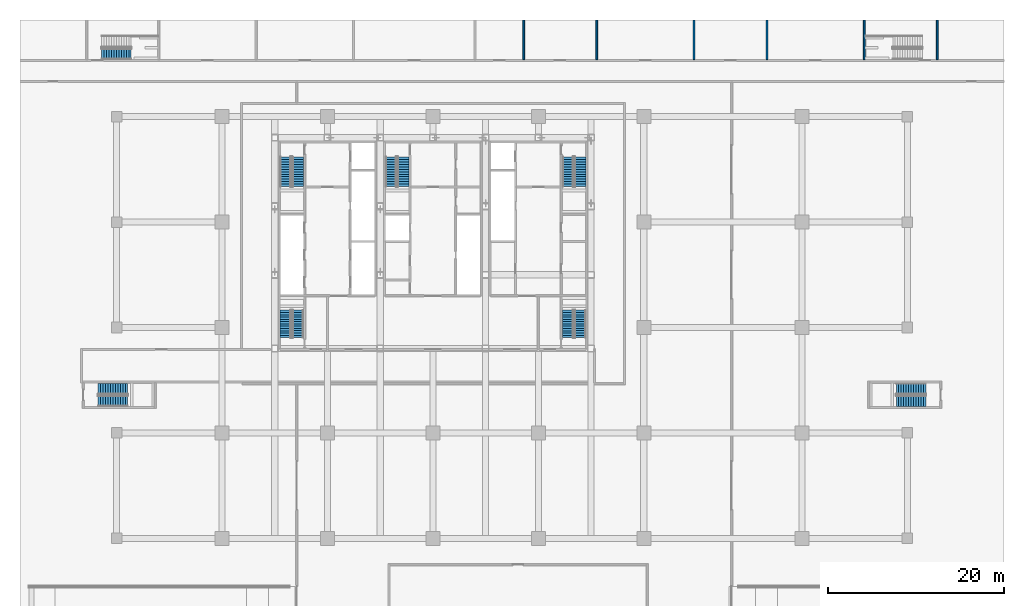
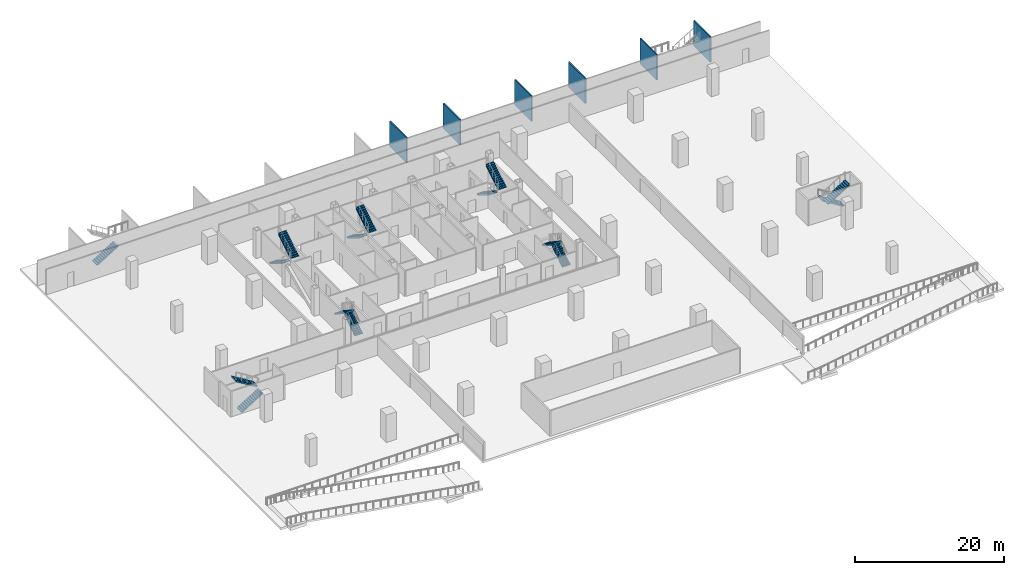
# One storey, part 10 of 15: 15 stair flights, 6 walls, 8 elements without a shape of their own.
"""IFC4 building model written with IfcOpenShell, lengths in metres."""

from ifc_helpers import new_model, si_unit, direction, frame, frame_2d, origin, place, context, subcontext, project, spatial, polyline, rectangle, outline, extrude, material, layer, layer_set, type_object, element, aggregate, save


model = new_model("IFC4")

# Units and contexts
model_context = context("Model", 3, precision=1e-05, world=origin(), true_north=direction((0.0, 1.0)))
body_context = subcontext(model_context, "Body", "Model", "MODEL_VIEW")
ifc_project = project(units=[si_unit("LENGTHUNIT", "METRE"), si_unit("AREAUNIT", "SQUARE_METRE"), si_unit("VOLUMEUNIT", "CUBIC_METRE"), si_unit("PLANEANGLEUNIT", "RADIAN"), si_unit("MASSUNIT", "GRAM", prefix="KILO")], contexts=[model_context])

# Site, building, storey
site_placement = place(None, origin())
site = spatial("IfcSite", under=ifc_project, at=site_placement, CompositionType="ELEMENT")
building_placement = place(site_placement, origin())
building = spatial("IfcBuilding", under=site, at=building_placement, Name="Sorahane Residences", CompositionType="ELEMENT")
storey_placement = place(building_placement, frame((0.0, 0.0, -9.0)))
storey = spatial("IfcBuildingStorey", under=building, at=storey_placement, Name="B2", CompositionType="ELEMENT", Elevation=-9.0)

# Walls
ifc_material_1 = material(Name="Concrete blockwork C20 wall", Category="masonry")
ifc_layer_1 = layer(ifc_material_1, 0.199951171875)
ifc_layer_set_1 = layer_set([ifc_layer_1], Name="Fire wall 200 EI 120")
wall_type_1 = type_object("IfcWallType", Name="Fire wall 200 EI 120", PredefinedType="SOLIDWALL", material=ifc_layer_set_1)
wall_1_placement = place(storey_placement, frame((81.39990234375, 54.5, 0.0), z_axis=(0.0, 0.0, 1.0), x_axis=(0.0, 1.0, 0.0)))
element("IfcWall", 1, at=wall_1_placement, inside=storey, type_object=wall_type_1, Name="B2 fire wall", PredefinedType="SOLIDWALL", context=body_context, shape_type="SweptSolid", body=[
    extrude(rectangle(XDim=4.5, YDim=0.199951171875, at=frame_2d((2.25, 0.0))), origin(), (0.0, 0.0, 1.0), 4.139892578125),
])
ifc_material_2 = material(Name="Concrete blockwork C20 wall", Category="masonry")
ifc_layer_2 = layer(ifc_material_2, 0.199951171875)
ifc_layer_set_2 = layer_set([ifc_layer_2], Name="Plant wall 200 EI 120")
wall_type_2 = type_object("IfcWallType", Name="Plant wall 200 EI 120", PredefinedType="SOLIDWALL", material=ifc_layer_set_2)
for number, where, z_axis, x_axis, name in (
    (2, (34.33447265625, 54.5, 0.0), (0.0, 0.0, 1.0), (0.0, 1.0, 0.0), "B2 plant wall"),
    (3, (42.641357421875, 54.5, 0.0), (0.0, 0.0, 1.0), (0.0, 1.0, 0.0), "B2 plant wall"),
    (4, (53.71728515625, 54.5, 0.0), (0.0, 0.0, 1.0), (0.0, 1.0, 0.0), "B2 plant wall"),
    (5, (62.024169921875, 54.5, 0.0), (0.0, 0.0, 1.0), (0.0, 1.0, 0.0), "B2 plant wall"),
):
    element("IfcWall", number, at=place(storey_placement, frame(where, z_axis=z_axis, x_axis=x_axis)), inside=storey, type_object=wall_type_2, Name=name, PredefinedType="SOLIDWALL", context=body_context, shape_type="SweptSolid", body=[
        extrude(rectangle(XDim=4.5, YDim=0.199951171875, at=frame_2d((2.25, 0.0))), origin(), (0.0, 0.0, 1.0), 4.139892578125),
    ])
ifc_material_3 = material(Name="Concrete C30", Category="concrete")
ifc_layer_3 = layer(ifc_material_3, 0.199951171875)
ifc_layer_set_3 = layer_set([ifc_layer_3], Name="Stair enclosure wall 200 EI 120")
wall_type_3 = type_object("IfcWallType", Name="Stair enclosure wall 200 EI 120", PredefinedType="SOLIDWALL", material=ifc_layer_set_3)
wall_2_placement = place(storey_placement, frame((73.10009765625, 54.5, 0.0), z_axis=(0.0, 0.0, 1.0), x_axis=(0.0, 1.0, 0.0)))
element("IfcWall", 6, at=wall_2_placement, inside=storey, type_object=wall_type_3, Name="B2 fire wall", PredefinedType="SOLIDWALL", context=body_context, shape_type="SweptSolid", body=[
    extrude(rectangle(XDim=4.5, YDim=0.199951171875, at=frame_2d((2.25, 0.0))), origin(), (0.0, 0.0, 1.0), 4.139892578125),
])

# Stair, stair flights
ifc_material_4 = material(Name="Concrete C40", Category="concrete")
stair_type = type_object("IfcStairType", Name="Dog-leg stair 1250 Concrete C40", PredefinedType="HALF_TURN_STAIR", material=ifc_material_4)
stair_1_placement = place(storey_placement, origin())
stair_1 = element("IfcStair", 7, at=stair_1_placement, inside=storey, type_object=stair_type, Name="B2 Stair S1", PredefinedType="HALF_TURN_STAIR")
ifc_material_5 = material(Name="Concrete C40", Category="concrete")
stair_flight_type = type_object("IfcStairFlightType", Name="Stair flight 1250 Concrete C40", PredefinedType="STRAIGHT", material=ifc_material_5)
stair_flight_1_placement = place(storey_placement, frame((7.22509765625, 43.39990234375, 0.0), z_axis=(0.0, 0.0, 1.0), x_axis=(0.0, -1.0, 0.0)))
stair_flight_1 = element("IfcStairFlight", 8, at=stair_flight_1_placement, type_object=stair_flight_type, Name="S1 flight 1", NumberOfRisers=13, NumberOfTreads=12, PredefinedType="STRAIGHT", RiserHeight=0.173076923, TreadLength=0.28, context=body_context, shape_type="SweptSolid", body=[
    extrude(outline(polyline([(-0.00146484375, 0.0), (-0.00146484375, 0.173095703125), (0.0, 0.173095703125), (0.280029296875, 0.173095703125), (0.280029296875, 0.34619140625), (0.56005859375, 0.34619140625), (0.56005859375, 0.519287109375), (0.840087890625, 0.519287109375), (0.840087890625, 0.6923828125), (1.1201171875, 0.6923828125), (1.1201171875, 0.865478515625), (1.39990234375, 0.865478515625), (1.39990234375, 1.03857421875), (1.679931640625, 1.03857421875), (1.679931640625, 1.21142578125), (1.9599609375, 1.21142578125), (1.9599609375, 1.384521484375), (2.239990234375, 1.384521484375), (2.239990234375, 1.5576171875), (2.52001953125, 1.5576171875), (2.52001953125, 1.730712890625), (2.800048828125, 1.730712890625), (2.800048828125, 1.90380859375), (3.080078125, 1.90380859375), (3.080078125, 2.076904296875), (3.360107421875, 2.076904296875), (3.360107421875, 2.25), (3.360107421875, 1.900634765625), (3.140380859375, 1.764892578125), (2.920654296875, 1.629150390625), (2.701171875, 1.493408203125), (2.4814453125, 1.357666015625), (2.26171875, 1.221923828125), (2.042236328125, 1.086181640625), (1.822509765625, 0.950439453125), (1.60302734375, 0.814697265625), (1.38330078125, 0.6787109375), (1.16357421875, 0.54296875), (0.944091796875, 0.4072265625), (0.724365234375, 0.271484375), (0.504638671875, 0.1357421875), (0.28515625, 0.0), (-0.00146484375, 0.0)])), frame((0.0, 0.625, 0.0), z_axis=(0.0, -1.0, 0.0), x_axis=(1.0, 0.0, 0.0)), (0.0, 0.0, 1.0), 1.25),
])
stair_flight_2_placement = place(storey_placement, frame((8.625, 40.0400390625, 2.25), z_axis=(0.0, 0.0, 1.0), x_axis=(0.0, 1.0, 0.0)))
stair_flight_2 = element("IfcStairFlight", 9, at=stair_flight_2_placement, type_object=stair_flight_type, Name="S1 flight 2", NumberOfRisers=13, NumberOfTreads=12, PredefinedType="STRAIGHT", RiserHeight=0.173076923, TreadLength=0.28, context=body_context, shape_type="SweptSolid", body=[
    extrude(outline(polyline([(0.0, 0.0), (0.0, 0.173095703125), (0.280029296875, 0.173095703125), (0.280029296875, 0.34619140625), (0.56005859375, 0.34619140625), (0.56005859375, 0.519287109375), (0.840087890625, 0.519287109375), (0.840087890625, 0.6923828125), (1.1201171875, 0.6923828125), (1.1201171875, 0.865478515625), (1.39990234375, 0.865478515625), (1.39990234375, 1.03857421875), (1.679931640625, 1.03857421875), (1.679931640625, 1.21142578125), (1.9599609375, 1.21142578125), (1.9599609375, 1.384521484375), (2.239990234375, 1.384521484375), (2.239990234375, 1.5576171875), (2.52001953125, 1.5576171875), (2.52001953125, 1.730712890625), (2.800048828125, 1.730712890625), (2.800048828125, 1.90380859375), (3.080078125, 1.90380859375), (3.080078125, 2.076904296875), (3.360107421875, 2.076904296875), (3.360107421875, 2.25), (3.361572265625, 2.25), (3.361572265625, 1.900634765625), (3.141845703125, 1.764892578125), (2.922119140625, 1.629150390625), (2.702392578125, 1.493408203125), (2.482421875, 1.357666015625), (2.2626953125, 1.221923828125), (2.04296875, 1.086181640625), (1.8232421875, 0.950439453125), (1.603515625, 0.814697265625), (1.3837890625, 0.6787109375), (1.1640625, 0.54296875), (0.9443359375, 0.4072265625), (0.724609375, 0.271484375), (0.5048828125, 0.1357421875), (0.28515625, 0.0), (0.0, 0.0)])), frame((0.0, 0.625, 0.0), z_axis=(0.0, -1.0, 0.0), x_axis=(1.0, 0.0, 0.0)), (0.0, 0.0, 1.0), 1.25),
])
aggregate(stair_1, [stair_flight_1, stair_flight_2])

stair_2_placement = place(storey_placement, origin())
stair_2 = element("IfcStair", 10, at=stair_2_placement, inside=storey, type_object=stair_type, Name="B2 Stair S2", PredefinedType="HALF_TURN_STAIR")
stair_flight_3_placement = place(storey_placement, frame((39.375, 43.39990234375, 0.0), z_axis=(0.0, 0.0, 1.0), x_axis=(0.0, -1.0, 0.0)))
stair_flight_3 = element("IfcStairFlight", 11, at=stair_flight_3_placement, type_object=stair_flight_type, Name="S2 flight 1", NumberOfRisers=13, NumberOfTreads=12, PredefinedType="STRAIGHT", RiserHeight=0.173076923, TreadLength=0.28, context=body_context, shape_type="SweptSolid", body=[
    extrude(outline(polyline([(-0.00146484375, 0.0), (-0.00146484375, 0.173095703125), (0.0, 0.173095703125), (0.280029296875, 0.173095703125), (0.280029296875, 0.34619140625), (0.56005859375, 0.34619140625), (0.56005859375, 0.519287109375), (0.840087890625, 0.519287109375), (0.840087890625, 0.6923828125), (1.1201171875, 0.6923828125), (1.1201171875, 0.865478515625), (1.39990234375, 0.865478515625), (1.39990234375, 1.03857421875), (1.679931640625, 1.03857421875), (1.679931640625, 1.21142578125), (1.9599609375, 1.21142578125), (1.9599609375, 1.384521484375), (2.239990234375, 1.384521484375), (2.239990234375, 1.5576171875), (2.52001953125, 1.5576171875), (2.52001953125, 1.730712890625), (2.800048828125, 1.730712890625), (2.800048828125, 1.90380859375), (3.080078125, 1.90380859375), (3.080078125, 2.076904296875), (3.360107421875, 2.076904296875), (3.360107421875, 2.25), (3.360107421875, 1.900634765625), (3.140380859375, 1.764892578125), (2.920654296875, 1.629150390625), (2.701171875, 1.493408203125), (2.4814453125, 1.357666015625), (2.26171875, 1.221923828125), (2.042236328125, 1.086181640625), (1.822509765625, 0.950439453125), (1.60302734375, 0.814697265625), (1.38330078125, 0.6787109375), (1.16357421875, 0.54296875), (0.944091796875, 0.4072265625), (0.724365234375, 0.271484375), (0.504638671875, 0.1357421875), (0.28515625, 0.0), (-0.00146484375, 0.0)])), frame((0.0, 0.625, 0.0), z_axis=(0.0, -1.0, 0.0), x_axis=(1.0, 0.0, 0.0)), (0.0, 0.0, 1.0), 1.25),
])
stair_flight_4_placement = place(storey_placement, frame((40.77490234375, 40.0400390625, 2.25), z_axis=(0.0, 0.0, 1.0), x_axis=(0.0, 1.0, 0.0)))
stair_flight_4 = element("IfcStairFlight", 12, at=stair_flight_4_placement, type_object=stair_flight_type, Name="S2 flight 2", NumberOfRisers=13, NumberOfTreads=12, PredefinedType="STRAIGHT", RiserHeight=0.173076923, TreadLength=0.28, context=body_context, shape_type="SweptSolid", body=[
    extrude(outline(polyline([(0.0, 0.0), (0.0, 0.173095703125), (0.280029296875, 0.173095703125), (0.280029296875, 0.34619140625), (0.56005859375, 0.34619140625), (0.56005859375, 0.519287109375), (0.840087890625, 0.519287109375), (0.840087890625, 0.6923828125), (1.1201171875, 0.6923828125), (1.1201171875, 0.865478515625), (1.39990234375, 0.865478515625), (1.39990234375, 1.03857421875), (1.679931640625, 1.03857421875), (1.679931640625, 1.21142578125), (1.9599609375, 1.21142578125), (1.9599609375, 1.384521484375), (2.239990234375, 1.384521484375), (2.239990234375, 1.5576171875), (2.52001953125, 1.5576171875), (2.52001953125, 1.730712890625), (2.800048828125, 1.730712890625), (2.800048828125, 1.90380859375), (3.080078125, 1.90380859375), (3.080078125, 2.076904296875), (3.360107421875, 2.076904296875), (3.360107421875, 2.25), (3.361572265625, 2.25), (3.361572265625, 1.900634765625), (3.141845703125, 1.764892578125), (2.922119140625, 1.629150390625), (2.702392578125, 1.493408203125), (2.482421875, 1.357666015625), (2.2626953125, 1.221923828125), (2.04296875, 1.086181640625), (1.8232421875, 0.950439453125), (1.603515625, 0.814697265625), (1.3837890625, 0.6787109375), (1.1640625, 0.54296875), (0.9443359375, 0.4072265625), (0.724609375, 0.271484375), (0.5048828125, 0.1357421875), (0.28515625, 0.0), (0.0, 0.0)])), frame((0.0, 0.625, 0.0), z_axis=(0.0, -1.0, 0.0), x_axis=(1.0, 0.0, 0.0)), (0.0, 0.0, 1.0), 1.25),
])
aggregate(stair_2, [stair_flight_3, stair_flight_4])

stair_3_placement = place(storey_placement, origin())
stair_3 = element("IfcStair", 13, at=stair_3_placement, inside=storey, type_object=stair_type, Name="B2 Stair S3", PredefinedType="HALF_TURN_STAIR")
stair_flight_5_placement = place(storey_placement, frame((19.22509765625, 43.39990234375, 0.0), z_axis=(0.0, 0.0, 1.0), x_axis=(0.0, -1.0, 0.0)))
stair_flight_5 = element("IfcStairFlight", 14, at=stair_flight_5_placement, type_object=stair_flight_type, Name="S3 flight 1", NumberOfRisers=13, NumberOfTreads=12, PredefinedType="STRAIGHT", RiserHeight=0.173076923, TreadLength=0.28, context=body_context, shape_type="SweptSolid", body=[
    extrude(outline(polyline([(-0.00146484375, 0.0), (-0.00146484375, 0.173095703125), (0.0, 0.173095703125), (0.280029296875, 0.173095703125), (0.280029296875, 0.34619140625), (0.56005859375, 0.34619140625), (0.56005859375, 0.519287109375), (0.840087890625, 0.519287109375), (0.840087890625, 0.6923828125), (1.1201171875, 0.6923828125), (1.1201171875, 0.865478515625), (1.39990234375, 0.865478515625), (1.39990234375, 1.03857421875), (1.679931640625, 1.03857421875), (1.679931640625, 1.21142578125), (1.9599609375, 1.21142578125), (1.9599609375, 1.384521484375), (2.239990234375, 1.384521484375), (2.239990234375, 1.5576171875), (2.52001953125, 1.5576171875), (2.52001953125, 1.730712890625), (2.800048828125, 1.730712890625), (2.800048828125, 1.90380859375), (3.080078125, 1.90380859375), (3.080078125, 2.076904296875), (3.360107421875, 2.076904296875), (3.360107421875, 2.25), (3.360107421875, 1.900634765625), (3.140380859375, 1.764892578125), (2.920654296875, 1.629150390625), (2.701171875, 1.493408203125), (2.4814453125, 1.357666015625), (2.26171875, 1.221923828125), (2.042236328125, 1.086181640625), (1.822509765625, 0.950439453125), (1.60302734375, 0.814697265625), (1.38330078125, 0.6787109375), (1.16357421875, 0.54296875), (0.944091796875, 0.4072265625), (0.724365234375, 0.271484375), (0.504638671875, 0.1357421875), (0.28515625, 0.0), (-0.00146484375, 0.0)])), frame((0.0, 0.625, 0.0), z_axis=(0.0, -1.0, 0.0), x_axis=(1.0, 0.0, 0.0)), (0.0, 0.0, 1.0), 1.25),
])
stair_flight_6_placement = place(storey_placement, frame((20.625, 40.0400390625, 2.25), z_axis=(0.0, 0.0, 1.0), x_axis=(0.0, 1.0, 0.0)))
stair_flight_6 = element("IfcStairFlight", 15, at=stair_flight_6_placement, type_object=stair_flight_type, Name="S3 flight 2", NumberOfRisers=13, NumberOfTreads=12, PredefinedType="STRAIGHT", RiserHeight=0.173076923, TreadLength=0.28, context=body_context, shape_type="SweptSolid", body=[
    extrude(outline(polyline([(0.0, 0.0), (0.0, 0.173095703125), (0.280029296875, 0.173095703125), (0.280029296875, 0.34619140625), (0.56005859375, 0.34619140625), (0.56005859375, 0.519287109375), (0.840087890625, 0.519287109375), (0.840087890625, 0.6923828125), (1.1201171875, 0.6923828125), (1.1201171875, 0.865478515625), (1.39990234375, 0.865478515625), (1.39990234375, 1.03857421875), (1.679931640625, 1.03857421875), (1.679931640625, 1.21142578125), (1.9599609375, 1.21142578125), (1.9599609375, 1.384521484375), (2.239990234375, 1.384521484375), (2.239990234375, 1.5576171875), (2.52001953125, 1.5576171875), (2.52001953125, 1.730712890625), (2.800048828125, 1.730712890625), (2.800048828125, 1.90380859375), (3.080078125, 1.90380859375), (3.080078125, 2.076904296875), (3.360107421875, 2.076904296875), (3.360107421875, 2.25), (3.361572265625, 2.25), (3.361572265625, 1.900634765625), (3.141845703125, 1.764892578125), (2.922119140625, 1.629150390625), (2.702392578125, 1.493408203125), (2.482421875, 1.357666015625), (2.2626953125, 1.221923828125), (2.04296875, 1.086181640625), (1.8232421875, 0.950439453125), (1.603515625, 0.814697265625), (1.3837890625, 0.6787109375), (1.1640625, 0.54296875), (0.9443359375, 0.4072265625), (0.724609375, 0.271484375), (0.5048828125, 0.1357421875), (0.28515625, 0.0), (0.0, 0.0)])), frame((0.0, 0.625, 0.0), z_axis=(0.0, -1.0, 0.0), x_axis=(1.0, 0.0, 0.0)), (0.0, 0.0, 1.0), 1.25),
])
aggregate(stair_3, [stair_flight_5, stair_flight_6])

stair_4_placement = place(storey_placement, origin())
stair_4 = element("IfcStair", 16, at=stair_4_placement, inside=storey, type_object=stair_type, Name="B2 Stair S4", PredefinedType="HALF_TURN_STAIR")
stair_flight_7_placement = place(storey_placement, frame((8.625, 22.85009765625, 0.0), z_axis=(0.0, 0.0, 1.0), x_axis=(0.0, 1.0, 0.0)))
stair_flight_7 = element("IfcStairFlight", 17, at=stair_flight_7_placement, type_object=stair_flight_type, Name="S4 flight 1", NumberOfRisers=13, NumberOfTreads=12, PredefinedType="STRAIGHT", RiserHeight=0.173076923, TreadLength=0.26, context=body_context, shape_type="SweptSolid", body=[
    extrude(outline(polyline([(-0.00146484375, 0.0), (-0.00146484375, 0.173095703125), (0.0, 0.173095703125), (0.260009765625, 0.173095703125), (0.260009765625, 0.34619140625), (0.52001953125, 0.34619140625), (0.52001953125, 0.519287109375), (0.780029296875, 0.519287109375), (0.780029296875, 0.6923828125), (1.0400390625, 0.6923828125), (1.0400390625, 0.865478515625), (1.300048828125, 0.865478515625), (1.300048828125, 1.03857421875), (1.56005859375, 1.03857421875), (1.56005859375, 1.21142578125), (1.820068359375, 1.21142578125), (1.820068359375, 1.384521484375), (2.080078125, 1.384521484375), (2.080078125, 1.5576171875), (2.340087890625, 1.5576171875), (2.340087890625, 1.730712890625), (2.60009765625, 1.730712890625), (2.60009765625, 1.90380859375), (2.860107421875, 1.90380859375), (2.860107421875, 2.076904296875), (3.1201171875, 2.076904296875), (3.1201171875, 2.25), (3.1201171875, 1.9326171875), (2.91259765625, 1.794677734375), (2.705322265625, 1.656494140625), (2.497802734375, 1.5185546875), (2.29052734375, 1.38037109375), (2.083251953125, 1.242431640625), (1.875732421875, 1.104248046875), (1.66845703125, 0.96630859375), (1.4609375, 0.828369140625), (1.253662109375, 0.690185546875), (1.046142578125, 0.55224609375), (0.8388671875, 0.4140625), (0.631591796875, 0.276123046875), (0.424072265625, 0.137939453125), (0.216796875, 0.0), (-0.00146484375, 0.0)])), frame((0.0, 0.625, 0.0), z_axis=(0.0, -1.0, 0.0), x_axis=(1.0, 0.0, 0.0)), (0.0, 0.0, 1.0), 1.25),
])
stair_flight_8_placement = place(storey_placement, frame((7.22509765625, 25.969970703125, 2.25), z_axis=(0.0, 0.0, 1.0), x_axis=(0.0, -1.0, 0.0)))
stair_flight_8 = element("IfcStairFlight", 18, at=stair_flight_8_placement, type_object=stair_flight_type, Name="S4 flight 2", NumberOfRisers=13, NumberOfTreads=12, PredefinedType="STRAIGHT", RiserHeight=0.173076923, TreadLength=0.26, context=body_context, shape_type="SweptSolid", body=[
    extrude(outline(polyline([(0.0, 0.0), (0.0, 0.173095703125), (0.260009765625, 0.173095703125), (0.260009765625, 0.34619140625), (0.52001953125, 0.34619140625), (0.52001953125, 0.519287109375), (0.780029296875, 0.519287109375), (0.780029296875, 0.6923828125), (1.0400390625, 0.6923828125), (1.0400390625, 0.865478515625), (1.300048828125, 0.865478515625), (1.300048828125, 1.03857421875), (1.56005859375, 1.03857421875), (1.56005859375, 1.21142578125), (1.820068359375, 1.21142578125), (1.820068359375, 1.384521484375), (2.080078125, 1.384521484375), (2.080078125, 1.5576171875), (2.340087890625, 1.5576171875), (2.340087890625, 1.730712890625), (2.60009765625, 1.730712890625), (2.60009765625, 1.90380859375), (2.860107421875, 1.90380859375), (2.860107421875, 2.076904296875), (3.1201171875, 2.076904296875), (3.1201171875, 2.25), (3.12158203125, 2.25), (3.12158203125, 1.9326171875), (2.9140625, 1.794677734375), (2.70654296875, 1.656494140625), (2.4990234375, 1.5185546875), (2.29150390625, 1.38037109375), (2.083984375, 1.242431640625), (1.876708984375, 1.104248046875), (1.669189453125, 0.96630859375), (1.461669921875, 0.828369140625), (1.254150390625, 0.690185546875), (1.046630859375, 0.55224609375), (0.839111328125, 0.4140625), (0.6318359375, 0.276123046875), (0.42431640625, 0.137939453125), (0.216796875, 0.0), (0.0, 0.0)])), frame((0.0, 0.625, 0.0), z_axis=(0.0, -1.0, 0.0), x_axis=(1.0, 0.0, 0.0)), (0.0, 0.0, 1.0), 1.25),
])
aggregate(stair_4, [stair_flight_7, stair_flight_8])

stair_5_placement = place(storey_placement, origin())
stair_5 = element("IfcStair", 19, at=stair_5_placement, inside=storey, type_object=stair_type, Name="B2 Stair S5", PredefinedType="HALF_TURN_STAIR")
stair_flight_9_placement = place(storey_placement, frame((40.77490234375, 22.85009765625, 0.0), z_axis=(0.0, 0.0, 1.0), x_axis=(0.0, 1.0, 0.0)))
stair_flight_9 = element("IfcStairFlight", 20, at=stair_flight_9_placement, type_object=stair_flight_type, Name="S5 flight 1", NumberOfRisers=13, NumberOfTreads=12, PredefinedType="STRAIGHT", RiserHeight=0.173076923, TreadLength=0.26, context=body_context, shape_type="SweptSolid", body=[
    extrude(outline(polyline([(-0.00146484375, 0.0), (-0.00146484375, 0.173095703125), (0.0, 0.173095703125), (0.260009765625, 0.173095703125), (0.260009765625, 0.34619140625), (0.52001953125, 0.34619140625), (0.52001953125, 0.519287109375), (0.780029296875, 0.519287109375), (0.780029296875, 0.6923828125), (1.0400390625, 0.6923828125), (1.0400390625, 0.865478515625), (1.300048828125, 0.865478515625), (1.300048828125, 1.03857421875), (1.56005859375, 1.03857421875), (1.56005859375, 1.21142578125), (1.820068359375, 1.21142578125), (1.820068359375, 1.384521484375), (2.080078125, 1.384521484375), (2.080078125, 1.5576171875), (2.340087890625, 1.5576171875), (2.340087890625, 1.730712890625), (2.60009765625, 1.730712890625), (2.60009765625, 1.90380859375), (2.860107421875, 1.90380859375), (2.860107421875, 2.076904296875), (3.1201171875, 2.076904296875), (3.1201171875, 2.25), (3.1201171875, 1.9326171875), (2.91259765625, 1.794677734375), (2.705322265625, 1.656494140625), (2.497802734375, 1.5185546875), (2.29052734375, 1.38037109375), (2.083251953125, 1.242431640625), (1.875732421875, 1.104248046875), (1.66845703125, 0.96630859375), (1.4609375, 0.828369140625), (1.253662109375, 0.690185546875), (1.046142578125, 0.55224609375), (0.8388671875, 0.4140625), (0.631591796875, 0.276123046875), (0.424072265625, 0.137939453125), (0.216796875, 0.0), (-0.00146484375, 0.0)])), frame((0.0, 0.625, 0.0), z_axis=(0.0, -1.0, 0.0), x_axis=(1.0, 0.0, 0.0)), (0.0, 0.0, 1.0), 1.25),
])
stair_flight_10_placement = place(storey_placement, frame((39.375, 25.969970703125, 2.25), z_axis=(0.0, 0.0, 1.0), x_axis=(0.0, -1.0, 0.0)))
stair_flight_10 = element("IfcStairFlight", 21, at=stair_flight_10_placement, type_object=stair_flight_type, Name="S5 flight 2", NumberOfRisers=13, NumberOfTreads=12, PredefinedType="STRAIGHT", RiserHeight=0.173076923, TreadLength=0.26, context=body_context, shape_type="SweptSolid", body=[
    extrude(outline(polyline([(0.0, 0.0), (0.0, 0.173095703125), (0.260009765625, 0.173095703125), (0.260009765625, 0.34619140625), (0.52001953125, 0.34619140625), (0.52001953125, 0.519287109375), (0.780029296875, 0.519287109375), (0.780029296875, 0.6923828125), (1.0400390625, 0.6923828125), (1.0400390625, 0.865478515625), (1.300048828125, 0.865478515625), (1.300048828125, 1.03857421875), (1.56005859375, 1.03857421875), (1.56005859375, 1.21142578125), (1.820068359375, 1.21142578125), (1.820068359375, 1.384521484375), (2.080078125, 1.384521484375), (2.080078125, 1.5576171875), (2.340087890625, 1.5576171875), (2.340087890625, 1.730712890625), (2.60009765625, 1.730712890625), (2.60009765625, 1.90380859375), (2.860107421875, 1.90380859375), (2.860107421875, 2.076904296875), (3.1201171875, 2.076904296875), (3.1201171875, 2.25), (3.12158203125, 2.25), (3.12158203125, 1.9326171875), (2.9140625, 1.794677734375), (2.70654296875, 1.656494140625), (2.4990234375, 1.5185546875), (2.29150390625, 1.38037109375), (2.083984375, 1.242431640625), (1.876708984375, 1.104248046875), (1.669189453125, 0.96630859375), (1.461669921875, 0.828369140625), (1.254150390625, 0.690185546875), (1.046630859375, 0.55224609375), (0.839111328125, 0.4140625), (0.6318359375, 0.276123046875), (0.42431640625, 0.137939453125), (0.216796875, 0.0), (0.0, 0.0)])), frame((0.0, 0.625, 0.0), z_axis=(0.0, -1.0, 0.0), x_axis=(1.0, 0.0, 0.0)), (0.0, 0.0, 1.0), 1.25),
])
aggregate(stair_5, [stair_flight_9, stair_flight_10])

# Stair, stair flight
stair_6_placement = place(storey_placement, origin())
stair_6 = element("IfcStair", 22, at=stair_6_placement, inside=storey, type_object=stair_type, Name="B2 Basement stair BS1", PredefinedType="HALF_TURN_STAIR")
stair_flight_11_placement = place(storey_placement, frame((-13.699951171875, 55.125, 0.0), z_axis=(0.0, 0.0, 1.0), x_axis=(1.0, 0.0, 0.0)))
stair_flight_11 = element("IfcStairFlight", 23, at=stair_flight_11_placement, type_object=stair_flight_type, Name="BS1 flight 1", NumberOfRisers=13, NumberOfTreads=12, PredefinedType="STRAIGHT", RiserHeight=0.173076923, TreadLength=0.28, context=body_context, shape_type="SweptSolid", body=[
    extrude(outline(polyline([(-0.00146484375, 0.0), (-0.00146484375, 0.173095703125), (0.0, 0.173095703125), (0.280029296875, 0.173095703125), (0.280029296875, 0.34619140625), (0.56005859375, 0.34619140625), (0.56005859375, 0.519287109375), (0.840087890625, 0.519287109375), (0.840087890625, 0.6923828125), (1.1201171875, 0.6923828125), (1.1201171875, 0.865478515625), (1.39990234375, 0.865478515625), (1.39990234375, 1.03857421875), (1.679931640625, 1.03857421875), (1.679931640625, 1.21142578125), (1.9599609375, 1.21142578125), (1.9599609375, 1.384521484375), (2.239990234375, 1.384521484375), (2.239990234375, 1.5576171875), (2.52001953125, 1.5576171875), (2.52001953125, 1.730712890625), (2.800048828125, 1.730712890625), (2.800048828125, 1.90380859375), (3.080078125, 1.90380859375), (3.080078125, 2.076904296875), (3.360107421875, 2.076904296875), (3.360107421875, 2.25), (3.360107421875, 1.900634765625), (3.140380859375, 1.764892578125), (2.920654296875, 1.629150390625), (2.701171875, 1.493408203125), (2.4814453125, 1.357666015625), (2.26171875, 1.221923828125), (2.042236328125, 1.086181640625), (1.822509765625, 0.950439453125), (1.60302734375, 0.814697265625), (1.38330078125, 0.6787109375), (1.16357421875, 0.54296875), (0.944091796875, 0.4072265625), (0.724365234375, 0.271484375), (0.504638671875, 0.1357421875), (0.28515625, 0.0), (-0.00146484375, 0.0)])), frame((0.0, 0.625, 0.0), z_axis=(0.0, -1.0, 0.0), x_axis=(1.0, 0.0, 0.0)), (0.0, 0.0, 1.0), 1.25),
])
aggregate(stair_6, [stair_flight_11])

# Stair, stair flights
stair_7_placement = place(storey_placement, origin())
stair_7 = element("IfcStair", 24, at=stair_7_placement, inside=storey, type_object=stair_type, Name="B2 Basement stair BS3", PredefinedType="HALF_TURN_STAIR")
stair_flight_12_placement = place(storey_placement, frame((-14.10009765625, 15.625, 0.0), z_axis=(0.0, 0.0, 1.0), x_axis=(1.0, 0.0, 0.0)))
stair_flight_12 = element("IfcStairFlight", 25, at=stair_flight_12_placement, type_object=stair_flight_type, Name="BS3 flight 1", NumberOfRisers=13, NumberOfTreads=12, PredefinedType="STRAIGHT", RiserHeight=0.173076923, TreadLength=0.28, context=body_context, shape_type="SweptSolid", body=[
    extrude(outline(polyline([(-0.00146484375, 0.0), (-0.00146484375, 0.173095703125), (0.0, 0.173095703125), (0.280029296875, 0.173095703125), (0.280029296875, 0.34619140625), (0.56005859375, 0.34619140625), (0.56005859375, 0.519287109375), (0.840087890625, 0.519287109375), (0.840087890625, 0.6923828125), (1.1201171875, 0.6923828125), (1.1201171875, 0.865478515625), (1.39990234375, 0.865478515625), (1.39990234375, 1.03857421875), (1.679931640625, 1.03857421875), (1.679931640625, 1.21142578125), (1.9599609375, 1.21142578125), (1.9599609375, 1.384521484375), (2.239990234375, 1.384521484375), (2.239990234375, 1.5576171875), (2.52001953125, 1.5576171875), (2.52001953125, 1.730712890625), (2.800048828125, 1.730712890625), (2.800048828125, 1.90380859375), (3.080078125, 1.90380859375), (3.080078125, 2.076904296875), (3.360107421875, 2.076904296875), (3.360107421875, 2.25), (3.360107421875, 1.900634765625), (3.140380859375, 1.764892578125), (2.920654296875, 1.629150390625), (2.701171875, 1.493408203125), (2.4814453125, 1.357666015625), (2.26171875, 1.221923828125), (2.042236328125, 1.086181640625), (1.822509765625, 0.950439453125), (1.60302734375, 0.814697265625), (1.38330078125, 0.6787109375), (1.16357421875, 0.54296875), (0.944091796875, 0.4072265625), (0.724365234375, 0.271484375), (0.504638671875, 0.1357421875), (0.28515625, 0.0), (-0.00146484375, 0.0)])), frame((0.0, 0.625, 0.0), z_axis=(0.0, -1.0, 0.0), x_axis=(1.0, 0.0, 0.0)), (0.0, 0.0, 1.0), 1.25),
])
stair_flight_13_placement = place(storey_placement, frame((-10.739990234375, 17.02490234375, 2.25), z_axis=(0.0, 0.0, 1.0), x_axis=(-1.0, 0.0, 0.0)))
stair_flight_13 = element("IfcStairFlight", 26, at=stair_flight_13_placement, type_object=stair_flight_type, Name="BS3 flight 2", NumberOfRisers=13, NumberOfTreads=12, PredefinedType="STRAIGHT", RiserHeight=0.173076923, TreadLength=0.28, context=body_context, shape_type="SweptSolid", body=[
    extrude(outline(polyline([(0.0, 0.0), (0.0, 0.173095703125), (0.280029296875, 0.173095703125), (0.280029296875, 0.34619140625), (0.56005859375, 0.34619140625), (0.56005859375, 0.519287109375), (0.840087890625, 0.519287109375), (0.840087890625, 0.6923828125), (1.1201171875, 0.6923828125), (1.1201171875, 0.865478515625), (1.39990234375, 0.865478515625), (1.39990234375, 1.03857421875), (1.679931640625, 1.03857421875), (1.679931640625, 1.21142578125), (1.9599609375, 1.21142578125), (1.9599609375, 1.384521484375), (2.239990234375, 1.384521484375), (2.239990234375, 1.5576171875), (2.52001953125, 1.5576171875), (2.52001953125, 1.730712890625), (2.800048828125, 1.730712890625), (2.800048828125, 1.90380859375), (3.080078125, 1.90380859375), (3.080078125, 2.076904296875), (3.360107421875, 2.076904296875), (3.360107421875, 2.25), (3.361572265625, 2.25), (3.361572265625, 1.900634765625), (3.141845703125, 1.764892578125), (2.922119140625, 1.629150390625), (2.702392578125, 1.493408203125), (2.482421875, 1.357666015625), (2.2626953125, 1.221923828125), (2.04296875, 1.086181640625), (1.8232421875, 0.950439453125), (1.603515625, 0.814697265625), (1.3837890625, 0.6787109375), (1.1640625, 0.54296875), (0.9443359375, 0.4072265625), (0.724609375, 0.271484375), (0.5048828125, 0.1357421875), (0.28515625, 0.0), (0.0, 0.0)])), frame((0.0, 0.625, 0.0), z_axis=(0.0, -1.0, 0.0), x_axis=(1.0, 0.0, 0.0)), (0.0, 0.0, 1.0), 1.25),
])
aggregate(stair_7, [stair_flight_12, stair_flight_13])

stair_8_placement = place(storey_placement, origin())
stair_8 = element("IfcStair", 27, at=stair_8_placement, inside=storey, type_object=stair_type, Name="B2 Basement stair BS4", PredefinedType="HALF_TURN_STAIR")
stair_flight_14_placement = place(storey_placement, frame((80.10009765625, 17.02490234375, 0.0), z_axis=(0.0, 0.0, 1.0), x_axis=(-1.0, 0.0, 0.0)))
stair_flight_14 = element("IfcStairFlight", 28, at=stair_flight_14_placement, type_object=stair_flight_type, Name="BS4 flight 1", NumberOfRisers=13, NumberOfTreads=12, PredefinedType="STRAIGHT", RiserHeight=0.173076923, TreadLength=0.28, context=body_context, shape_type="SweptSolid", body=[
    extrude(outline(polyline([(-0.00146484375, 0.0), (-0.00146484375, 0.173095703125), (0.0, 0.173095703125), (0.280029296875, 0.173095703125), (0.280029296875, 0.34619140625), (0.56005859375, 0.34619140625), (0.56005859375, 0.519287109375), (0.840087890625, 0.519287109375), (0.840087890625, 0.6923828125), (1.1201171875, 0.6923828125), (1.1201171875, 0.865478515625), (1.39990234375, 0.865478515625), (1.39990234375, 1.03857421875), (1.679931640625, 1.03857421875), (1.679931640625, 1.21142578125), (1.9599609375, 1.21142578125), (1.9599609375, 1.384521484375), (2.239990234375, 1.384521484375), (2.239990234375, 1.5576171875), (2.52001953125, 1.5576171875), (2.52001953125, 1.730712890625), (2.800048828125, 1.730712890625), (2.800048828125, 1.90380859375), (3.080078125, 1.90380859375), (3.080078125, 2.076904296875), (3.360107421875, 2.076904296875), (3.360107421875, 2.25), (3.360107421875, 1.900634765625), (3.140380859375, 1.764892578125), (2.920654296875, 1.629150390625), (2.701171875, 1.493408203125), (2.4814453125, 1.357666015625), (2.26171875, 1.221923828125), (2.042236328125, 1.086181640625), (1.822509765625, 0.950439453125), (1.60302734375, 0.814697265625), (1.38330078125, 0.6787109375), (1.16357421875, 0.54296875), (0.944091796875, 0.4072265625), (0.724365234375, 0.271484375), (0.504638671875, 0.1357421875), (0.28515625, 0.0), (-0.00146484375, 0.0)])), frame((0.0, 0.625, 0.0), z_axis=(0.0, -1.0, 0.0), x_axis=(1.0, 0.0, 0.0)), (0.0, 0.0, 1.0), 1.25),
])
stair_flight_15_placement = place(storey_placement, frame((76.739990234375, 15.625, 2.25), z_axis=(0.0, 0.0, 1.0), x_axis=(1.0, 0.0, 0.0)))
stair_flight_15 = element("IfcStairFlight", 29, at=stair_flight_15_placement, type_object=stair_flight_type, Name="BS4 flight 2", NumberOfRisers=13, NumberOfTreads=12, PredefinedType="STRAIGHT", RiserHeight=0.173076923, TreadLength=0.28, context=body_context, shape_type="SweptSolid", body=[
    extrude(outline(polyline([(0.0, 0.0), (0.0, 0.173095703125), (0.280029296875, 0.173095703125), (0.280029296875, 0.34619140625), (0.56005859375, 0.34619140625), (0.56005859375, 0.519287109375), (0.840087890625, 0.519287109375), (0.840087890625, 0.6923828125), (1.1201171875, 0.6923828125), (1.1201171875, 0.865478515625), (1.39990234375, 0.865478515625), (1.39990234375, 1.03857421875), (1.679931640625, 1.03857421875), (1.679931640625, 1.21142578125), (1.9599609375, 1.21142578125), (1.9599609375, 1.384521484375), (2.239990234375, 1.384521484375), (2.239990234375, 1.5576171875), (2.52001953125, 1.5576171875), (2.52001953125, 1.730712890625), (2.800048828125, 1.730712890625), (2.800048828125, 1.90380859375), (3.080078125, 1.90380859375), (3.080078125, 2.076904296875), (3.360107421875, 2.076904296875), (3.360107421875, 2.25), (3.361572265625, 2.25), (3.361572265625, 1.900634765625), (3.141845703125, 1.764892578125), (2.922119140625, 1.629150390625), (2.702392578125, 1.493408203125), (2.482421875, 1.357666015625), (2.2626953125, 1.221923828125), (2.04296875, 1.086181640625), (1.8232421875, 0.950439453125), (1.603515625, 0.814697265625), (1.3837890625, 0.6787109375), (1.1640625, 0.54296875), (0.9443359375, 0.4072265625), (0.724609375, 0.271484375), (0.5048828125, 0.1357421875), (0.28515625, 0.0), (0.0, 0.0)])), frame((0.0, 0.625, 0.0), z_axis=(0.0, -1.0, 0.0), x_axis=(1.0, 0.0, 0.0)), (0.0, 0.0, 1.0), 1.25),
])
aggregate(stair_8, [stair_flight_14, stair_flight_15])

save(model, "model.ifc")
